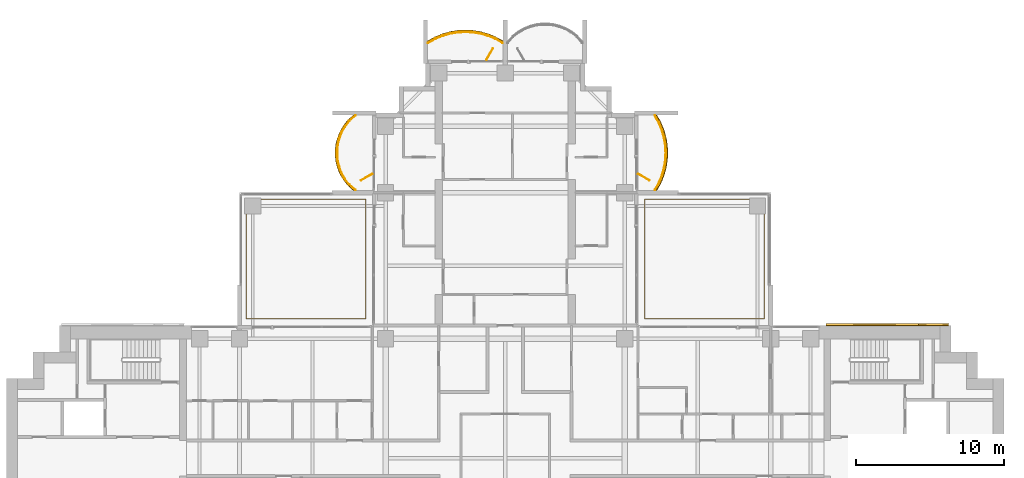
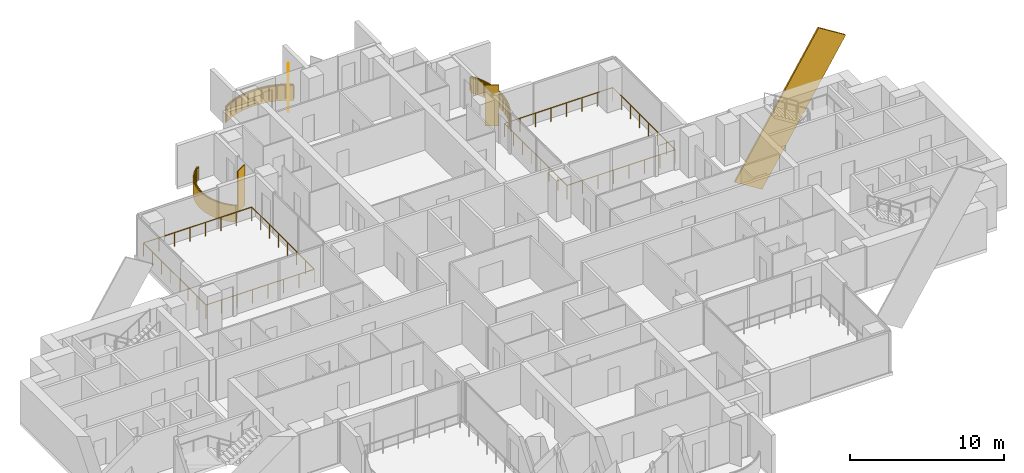
# One storey, part 18 of 19: 5 railings, 4 coverings, 3 shading devices.
"""IFC4 building model written with IfcOpenShell, lengths in metres."""

from ifc_helpers import new_model, si_unit, direction, frame, origin, origin_2d, place, context, subcontext, project, spatial, polyline, rectangle, outline, extrude, material, layer, layer_set, material_profile, profile_set, type_object, element, save


model = new_model("IFC4")

# Units and contexts
model_context = context("Model", 3, precision=1e-05, world=origin(), true_north=direction((0.0, 1.0)))
body_context = subcontext(model_context, "Body", "Model", "MODEL_VIEW")
ifc_project = project(units=[si_unit("LENGTHUNIT", "METRE"), si_unit("AREAUNIT", "SQUARE_METRE"), si_unit("VOLUMEUNIT", "CUBIC_METRE"), si_unit("PLANEANGLEUNIT", "RADIAN"), si_unit("MASSUNIT", "GRAM", prefix="KILO")], contexts=[model_context])

# Site, building, storey
site_placement = place(None, origin())
site = spatial("IfcSite", under=ifc_project, at=site_placement, CompositionType="ELEMENT")
building_placement = place(site_placement, origin())
building = spatial("IfcBuilding", under=site, at=building_placement, Name="Perihelion Cross Residences", CompositionType="ELEMENT")
storey_placement = place(building_placement, frame((0.0, 0.0, 147.89990234375)))
storey = spatial("IfcBuildingStorey", under=building, at=storey_placement, Name="L36", CompositionType="ELEMENT", Elevation=147.89990234375)

# Coverings
ifc_material_1 = material(Name="Bronze anodised aluminium", Category="aluminium")
ifc_layer_1 = layer(ifc_material_1, 0.070068359375)
ifc_layer_set_1 = layer_set([ifc_layer_1], Name="Balcony fascia 1300")
covering_type_1 = type_object("IfcCoveringType", Name="Balcony fascia 1300", PredefinedType="CLADDING", material=ifc_layer_set_1)
covering_1_placement = place(storey_placement, frame((0.0, 0.0, -0.199951171875)))
element("IfcCovering", 1, at=covering_1_placement, inside=storey, type_object=covering_type_1, Name="Fascia BF1 L36 north side east bay 2", PredefinedType="CLADDING", context=body_context, shape_type="SweptSolid", body=[
    extrude(outline(polyline([(10.54833984375, 18.629638671875), (10.7607421875, 19.147216796875), (10.906494140625, 19.664794921875), (10.991943359375, 20.182373046875), (11.02001953125, 20.699951171875), (10.991943359375, 21.217529296875), (10.906494140625, 21.735107421875), (10.7607421875, 22.2529296875), (10.54833984375, 22.7705078125), (10.2802734375, 23.25), (10.199951171875, 23.25), (10.4853515625, 22.739990234375), (10.694580078125, 22.22998046875), (10.838134765625, 21.719970703125), (10.92236328125, 21.2099609375), (10.949951171875, 20.699951171875), (10.92236328125, 20.18994140625), (10.838134765625, 19.679931640625), (10.694580078125, 19.169921875), (10.4853515625, 18.659912109375), (10.199951171875, 18.14990234375), (10.2802734375, 18.14990234375), (10.54833984375, 18.629638671875)])), origin(), (0.0, 0.0, 1.0), 1.300048828125),
])
covering_2_placement = place(storey_placement, frame((0.0, 0.0, -0.199951171875)))
element("IfcCovering", 2, at=covering_2_placement, inside=storey, type_object=covering_type_1, Name="Fascia BF1 L36 north tip north bay 2", PredefinedType="CLADDING", context=body_context, shape_type="SweptSolid", body=[
    extrude(outline(polyline([(-0.629638671875, 28.54833984375), (-1.147216796875, 28.7607421875), (-1.664794921875, 28.906494140625), (-2.182373046875, 28.991943359375), (-2.699951171875, 29.02001953125), (-3.217529296875, 28.991943359375), (-3.735107421875, 28.906494140625), (-4.2529296875, 28.7607421875), (-4.7705078125, 28.54833984375), (-5.25, 28.2802734375), (-5.25, 28.199951171875), (-4.739990234375, 28.4853515625), (-4.22998046875, 28.694580078125), (-3.719970703125, 28.838134765625), (-3.2099609375, 28.92236328125), (-2.699951171875, 28.949951171875), (-2.18994140625, 28.92236328125), (-1.679931640625, 28.838134765625), (-1.169921875, 28.694580078125), (-0.659912109375, 28.4853515625), (-0.14990234375, 28.199951171875), (-0.14990234375, 28.2802734375), (-0.629638671875, 28.54833984375)])), origin(), (0.0, 0.0, 1.0), 1.300048828125),
])
covering_3_placement = place(storey_placement, frame((0.0, 0.0, -0.199951171875)))
element("IfcCovering", 3, at=covering_3_placement, inside=storey, type_object=covering_type_1, Name="Fascia BF1 L36 north side west bay 1", PredefinedType="CLADDING", context=body_context, shape_type="SweptSolid", body=[
    extrude(outline(polyline([(-10.674072265625, 22.90478515625), (-10.982666015625, 22.50390625), (-11.20654296875, 22.10302734375), (-11.364013671875, 21.7021484375), (-11.464599609375, 21.30126953125), (-11.513916015625, 20.900390625), (-11.513916015625, 20.49951171875), (-11.464599609375, 20.0986328125), (-11.364013671875, 19.69775390625), (-11.20654296875, 19.296875), (-10.982666015625, 18.89599609375), (-10.674072265625, 18.4951171875), (-10.302734375, 18.14990234375), (-10.199951171875, 18.14990234375), (-10.622314453125, 18.542236328125), (-10.924072265625, 18.9345703125), (-11.143310546875, 19.326904296875), (-11.29736328125, 19.71923828125), (-11.39599609375, 20.111572265625), (-11.444091796875, 20.50390625), (-11.444091796875, 20.896240234375), (-11.39599609375, 21.28857421875), (-11.29736328125, 21.6806640625), (-11.143310546875, 22.072998046875), (-10.924072265625, 22.46533203125), (-10.622314453125, 22.857666015625), (-10.199951171875, 23.25), (-10.302734375, 23.25), (-10.674072265625, 22.90478515625)])), origin(), (0.0, 0.0, 1.0), 1.300048828125),
])

# Railings
ifc_material_2 = material(Name="Bronze anodised aluminium", Category="aluminium")
railing_type = type_object("IfcRailingType", Name="Balcony guard 1100", PredefinedType="GUARDRAIL", material=ifc_material_2)
railing_1_placement = place(storey_placement, frame((10.139892578125, 18.175048828125, 0.0)))
element("IfcRailing", 4, at=railing_1_placement, inside=storey, type_object=railing_type, Name="Guard GU1 L36 north side east bay 2 balcony", PredefinedType="GUARDRAIL", context=body_context, shape_type="SweptSolid", body=[
    extrude(rectangle(XDim=0.048095703125, YDim=0.048095703125, at=origin_2d()), frame((0.0, 0.0, 1.076171875), z_axis=(0.507266632806, 0.861789164031, 0.0), x_axis=(-0.861789164031, 0.507266632806, 0.0)), (0.0, 0.0, 1.0), 0.562744140625),
    extrude(rectangle(XDim=0.048095703125, YDim=0.048095703125, at=origin_2d()), frame((0.285400390625, 0.48486328125, 1.076171875), z_axis=(0.379546636342, 0.925172605972, 0.0), x_axis=(-0.925172605972, 0.379546636342, 0.0)), (0.0, 0.0, 1.0), 0.55126953125),
    extrude(rectangle(XDim=0.048095703125, YDim=0.048095703125, at=origin_2d()), frame((0.49462890625, 0.994873046875, 1.076171875), z_axis=(0.271372618732, 0.962474364231, 0.0), x_axis=(-0.962474364231, 0.271372618732, 0.0)), (0.0, 0.0, 1.0), 0.52978515625),
    extrude(rectangle(XDim=0.048095703125, YDim=0.048095703125, at=origin_2d()), frame((0.638427734375, 1.5048828125, 1.076171875), z_axis=(0.162483799314, 0.986711211531, 0.0), x_axis=(-0.986711211531, 0.162483799314, 0.0)), (0.0, 0.0, 1.0), 0.516845703125),
    extrude(rectangle(XDim=0.048095703125, YDim=0.048095703125, at=origin_2d()), frame((0.722412109375, 2.014892578125, 1.076171875), z_axis=(0.05401390175, 0.998540183677, 0.0), x_axis=(-0.998540183677, 0.05401390175, 0.0)), (0.0, 0.0, 1.0), 0.5107421875),
    extrude(rectangle(XDim=0.048095703125, YDim=0.048095703125, at=origin_2d()), frame((0.75, 2.52490234375, 1.076171875), z_axis=(-0.05401390175, 0.998540183677, 0.0), x_axis=(-0.998540183677, -0.05401390175, 0.0)), (0.0, 0.0, 1.0), 0.5107421875),
    extrude(rectangle(XDim=0.048095703125, YDim=0.048095703125, at=origin_2d()), frame((0.722412109375, 3.034912109375, 1.076171875), z_axis=(-0.162483799314, 0.986711211531, 0.0), x_axis=(-0.986711211531, -0.162483799314, 0.0)), (0.0, 0.0, 1.0), 0.516845703125),
    extrude(rectangle(XDim=0.048095703125, YDim=0.048095703125, at=origin_2d()), frame((0.638427734375, 3.544921875, 1.076171875), z_axis=(-0.271372618732, 0.962474364231, 0.0), x_axis=(-0.962474364231, -0.271372618732, 0.0)), (0.0, 0.0, 1.0), 0.52978515625),
    extrude(rectangle(XDim=0.048095703125, YDim=0.048095703125, at=origin_2d()), frame((0.49462890625, 4.054931640625, 1.076171875), z_axis=(-0.379546636342, 0.925172605972, 0.0), x_axis=(-0.925172605972, -0.379546636342, 0.0)), (0.0, 0.0, 1.0), 0.55126953125),
    extrude(rectangle(XDim=0.048095703125, YDim=0.048095703125, at=origin_2d()), frame((0.285400390625, 4.56494140625, 1.076171875), z_axis=(-0.507076995033, 0.861900760591, 0.0), x_axis=(-0.861900760591, -0.507076995033, 0.0)), (0.0, 0.0, 1.0), 0.562744140625),
    extrude(rectangle(XDim=0.0419921875, YDim=0.0419921875, at=origin_2d()), origin(), (0.0, 0.0, 1.0), 1.052001953125),
    extrude(rectangle(XDim=0.0419921875, YDim=0.0419921875, at=origin_2d()), frame((0.285400390625, 0.48486328125, 0.0)), (0.0, 0.0, 1.0), 1.052001953125),
    extrude(rectangle(XDim=0.0419921875, YDim=0.0419921875, at=origin_2d()), frame((0.49462890625, 0.994873046875, 0.0)), (0.0, 0.0, 1.0), 1.052001953125),
    extrude(rectangle(XDim=0.0419921875, YDim=0.0419921875, at=origin_2d()), frame((0.638427734375, 1.5048828125, 0.0)), (0.0, 0.0, 1.0), 1.052001953125),
    extrude(rectangle(XDim=0.0419921875, YDim=0.0419921875, at=origin_2d()), frame((0.722412109375, 2.014892578125, 0.0)), (0.0, 0.0, 1.0), 1.052001953125),
    extrude(rectangle(XDim=0.0419921875, YDim=0.0419921875, at=origin_2d()), frame((0.75, 2.52490234375, 0.0)), (0.0, 0.0, 1.0), 1.052001953125),
    extrude(rectangle(XDim=0.0419921875, YDim=0.0419921875, at=origin_2d()), frame((0.722412109375, 3.034912109375, 0.0)), (0.0, 0.0, 1.0), 1.052001953125),
    extrude(rectangle(XDim=0.0419921875, YDim=0.0419921875, at=origin_2d()), frame((0.638427734375, 3.544921875, 0.0)), (0.0, 0.0, 1.0), 1.052001953125),
    extrude(rectangle(XDim=0.0419921875, YDim=0.0419921875, at=origin_2d()), frame((0.49462890625, 4.054931640625, 0.0)), (0.0, 0.0, 1.0), 1.052001953125),
    extrude(rectangle(XDim=0.0419921875, YDim=0.0419921875, at=origin_2d()), frame((0.285400390625, 4.56494140625, 0.0)), (0.0, 0.0, 1.0), 1.052001953125),
    extrude(rectangle(XDim=0.0419921875, YDim=0.0419921875, at=origin_2d()), frame((0.0, 5.050048828125, 0.0)), (0.0, 0.0, 1.0), 1.052001953125),
])
railing_2_placement = place(storey_placement, frame((-0.175048828125, 28.139892578125, 0.0)))
element("IfcRailing", 5, at=railing_2_placement, inside=storey, type_object=railing_type, Name="Guard GU1 L36 north tip north bay 2 balcony", PredefinedType="GUARDRAIL", context=body_context, shape_type="SweptSolid", body=[
    extrude(rectangle(XDim=0.048095703125, YDim=0.048095703125, at=origin_2d()), frame((0.0, 0.0, 1.076171875), z_axis=(-0.861789164031, 0.507266632806, 0.0), x_axis=(-0.507266632806, -0.861789164031, 0.0)), (0.0, 0.0, 1.0), 0.562744140625),
    extrude(rectangle(XDim=0.048095703125, YDim=0.048095703125, at=origin_2d()), frame((-0.48486328125, 0.285400390625, 1.076171875), z_axis=(-0.925172605972, 0.379546636342, 0.0), x_axis=(-0.379546636342, -0.925172605972, 0.0)), (0.0, 0.0, 1.0), 0.55126953125),
    extrude(rectangle(XDim=0.048095703125, YDim=0.048095703125, at=origin_2d()), frame((-0.994873046875, 0.49462890625, 1.076171875), z_axis=(-0.962474364231, 0.271372618732, 0.0), x_axis=(-0.271372618732, -0.962474364231, 0.0)), (0.0, 0.0, 1.0), 0.52978515625),
    extrude(rectangle(XDim=0.048095703125, YDim=0.048095703125, at=origin_2d()), frame((-1.5048828125, 0.638427734375, 1.076171875), z_axis=(-0.986711211531, 0.162483799314, 0.0), x_axis=(-0.162483799314, -0.986711211531, 0.0)), (0.0, 0.0, 1.0), 0.516845703125),
    extrude(rectangle(XDim=0.048095703125, YDim=0.048095703125, at=origin_2d()), frame((-2.014892578125, 0.722412109375, 1.076171875), z_axis=(-0.998540183677, 0.05401390175, 0.0), x_axis=(-0.05401390175, -0.998540183677, 0.0)), (0.0, 0.0, 1.0), 0.5107421875),
    extrude(rectangle(XDim=0.048095703125, YDim=0.048095703125, at=origin_2d()), frame((-2.52490234375, 0.75, 1.076171875), z_axis=(-0.998540183677, -0.05401390175, 0.0), x_axis=(0.05401390175, -0.998540183677, 0.0)), (0.0, 0.0, 1.0), 0.5107421875),
    extrude(rectangle(XDim=0.048095703125, YDim=0.048095703125, at=origin_2d()), frame((-3.034912109375, 0.722412109375, 1.076171875), z_axis=(-0.986711211531, -0.162483799314, 0.0), x_axis=(0.162483799314, -0.986711211531, 0.0)), (0.0, 0.0, 1.0), 0.516845703125),
    extrude(rectangle(XDim=0.048095703125, YDim=0.048095703125, at=origin_2d()), frame((-3.544921875, 0.638427734375, 1.076171875), z_axis=(-0.962474364231, -0.271372618732, 0.0), x_axis=(0.271372618732, -0.962474364231, 0.0)), (0.0, 0.0, 1.0), 0.52978515625),
    extrude(rectangle(XDim=0.048095703125, YDim=0.048095703125, at=origin_2d()), frame((-4.054931640625, 0.49462890625, 1.076171875), z_axis=(-0.925172605972, -0.379546636342, 0.0), x_axis=(0.379546636342, -0.925172605972, 0.0)), (0.0, 0.0, 1.0), 0.55126953125),
    extrude(rectangle(XDim=0.048095703125, YDim=0.048095703125, at=origin_2d()), frame((-4.56494140625, 0.285400390625, 1.076171875), z_axis=(-0.861900760591, -0.507076995033, 0.0), x_axis=(0.507076995033, -0.861900760591, 0.0)), (0.0, 0.0, 1.0), 0.562744140625),
    extrude(rectangle(XDim=0.0419921875, YDim=0.0419921875, at=origin_2d()), origin(), (0.0, 0.0, 1.0), 1.052001953125),
    extrude(rectangle(XDim=0.0419921875, YDim=0.0419921875, at=origin_2d()), frame((-0.48486328125, 0.285400390625, 0.0)), (0.0, 0.0, 1.0), 1.052001953125),
    extrude(rectangle(XDim=0.0419921875, YDim=0.0419921875, at=origin_2d()), frame((-0.994873046875, 0.49462890625, 0.0)), (0.0, 0.0, 1.0), 1.052001953125),
    extrude(rectangle(XDim=0.0419921875, YDim=0.0419921875, at=origin_2d()), frame((-1.5048828125, 0.638427734375, 0.0)), (0.0, 0.0, 1.0), 1.052001953125),
    extrude(rectangle(XDim=0.0419921875, YDim=0.0419921875, at=origin_2d()), frame((-2.014892578125, 0.722412109375, 0.0)), (0.0, 0.0, 1.0), 1.052001953125),
    extrude(rectangle(XDim=0.0419921875, YDim=0.0419921875, at=origin_2d()), frame((-2.52490234375, 0.75, 0.0)), (0.0, 0.0, 1.0), 1.052001953125),
    extrude(rectangle(XDim=0.0419921875, YDim=0.0419921875, at=origin_2d()), frame((-3.034912109375, 0.722412109375, 0.0)), (0.0, 0.0, 1.0), 1.052001953125),
    extrude(rectangle(XDim=0.0419921875, YDim=0.0419921875, at=origin_2d()), frame((-3.544921875, 0.638427734375, 0.0)), (0.0, 0.0, 1.0), 1.052001953125),
    extrude(rectangle(XDim=0.0419921875, YDim=0.0419921875, at=origin_2d()), frame((-4.054931640625, 0.49462890625, 0.0)), (0.0, 0.0, 1.0), 1.052001953125),
    extrude(rectangle(XDim=0.0419921875, YDim=0.0419921875, at=origin_2d()), frame((-4.56494140625, 0.285400390625, 0.0)), (0.0, 0.0, 1.0), 1.052001953125),
    extrude(rectangle(XDim=0.0419921875, YDim=0.0419921875, at=origin_2d()), frame((-5.050048828125, 0.0, 0.0)), (0.0, 0.0, 1.0), 1.052001953125),
])
railing_3_placement = place(storey_placement, frame((-10.139892578125, 23.22509765625, 0.0)))
element("IfcRailing", 6, at=railing_3_placement, inside=storey, type_object=railing_type, Name="Guard GU1 L36 north side west bay 1 balcony", PredefinedType="GUARDRAIL", context=body_context, shape_type="SweptSolid", body=[
    extrude(rectangle(XDim=0.048095703125, YDim=0.048095703125, at=origin_2d()), frame((0.0, 0.0, 1.076171875), z_axis=(-0.754464673757, -0.656340655493, 0.0), x_axis=(0.656340655493, -0.754464673757, 0.0)), (0.0, 0.0, 1.0), 0.559814453125),
    extrude(rectangle(XDim=0.048095703125, YDim=0.048095703125, at=origin_2d()), frame((-0.42236328125, -0.367431640625, 1.076171875), z_axis=(-0.60966308455, -0.792660660899, 0.0), x_axis=(0.792660660899, -0.60966308455, 0.0)), (0.0, 0.0, 1.0), 0.494873046875),
    extrude(rectangle(XDim=0.048095703125, YDim=0.048095703125, at=origin_2d()), frame((-0.72412109375, -0.759765625, 1.076171875), z_axis=(-0.487809182674, -0.872950285698, 0.0), x_axis=(0.872950285698, -0.487809182674, 0.0)), (0.0, 0.0, 1.0), 0.449462890625),
    extrude(rectangle(XDim=0.048095703125, YDim=0.048095703125, at=origin_2d()), frame((-0.943359375, -1.152099609375, 1.076171875), z_axis=(-0.365491079925, -0.930814842219, 0.0), x_axis=(0.930814842219, -0.365491079925, 0.0)), (0.0, 0.0, 1.0), 0.42138671875),
    extrude(rectangle(XDim=0.048095703125, YDim=0.048095703125, at=origin_2d()), frame((-1.097412109375, -1.54443359375, 1.076171875), z_axis=(-0.243956193074, -0.969786252666, 0.0), x_axis=(0.969786252666, -0.243956193074, 0.0)), (0.0, 0.0, 1.0), 0.404296875),
    extrude(rectangle(XDim=0.048095703125, YDim=0.048095703125, at=origin_2d()), frame((-1.196044921875, -1.9365234375, 1.076171875), z_axis=(-0.121677797999, -0.992569651699, 0.0), x_axis=(0.992569651699, -0.121677797999, 0.0)), (0.0, 0.0, 1.0), 0.395263671875),
    extrude(rectangle(XDim=0.048095703125, YDim=0.048095703125, at=origin_2d()), frame((-1.244140625, -2.328857421875, 1.076171875), z_axis=(0.0, -1.0, 0.0), x_axis=(1.0, 0.0, 0.0)), (0.0, 0.0, 1.0), 0.392333984375),
    extrude(rectangle(XDim=0.048095703125, YDim=0.048095703125, at=origin_2d()), frame((-1.244140625, -2.72119140625, 1.076171875), z_axis=(0.121677797999, -0.992569651699, 0.0), x_axis=(0.992569651699, 0.121677797999, 0.0)), (0.0, 0.0, 1.0), 0.395263671875),
    extrude(rectangle(XDim=0.048095703125, YDim=0.048095703125, at=origin_2d()), frame((-1.196044921875, -3.113525390625, 1.076171875), z_axis=(0.243813411509, -0.969822159145, 0.0), x_axis=(0.969822159145, 0.243813411509, 0.0)), (0.0, 0.0, 1.0), 0.404541015625),
    extrude(rectangle(XDim=0.048095703125, YDim=0.048095703125, at=origin_2d()), frame((-1.097412109375, -3.505859375, 1.076171875), z_axis=(0.365491079925, -0.930814842219, 0.0), x_axis=(0.930814842219, 0.365491079925, 0.0)), (0.0, 0.0, 1.0), 0.42138671875),
    extrude(rectangle(XDim=0.048095703125, YDim=0.048095703125, at=origin_2d()), frame((-0.943359375, -3.898193359375, 1.076171875), z_axis=(0.487809182674, -0.872950285698, 0.0), x_axis=(0.872950285698, 0.487809182674, 0.0)), (0.0, 0.0, 1.0), 0.449462890625),
    extrude(rectangle(XDim=0.048095703125, YDim=0.048095703125, at=origin_2d()), frame((-0.72412109375, -4.29052734375, 1.076171875), z_axis=(0.60966308455, -0.792660660899, 0.0), x_axis=(0.792660660899, 0.60966308455, 0.0)), (0.0, 0.0, 1.0), 0.494873046875),
    extrude(rectangle(XDim=0.048095703125, YDim=0.048095703125, at=origin_2d()), frame((-0.42236328125, -4.682861328125, 1.076171875), z_axis=(0.754680648599, -0.656092309534, 0.0), x_axis=(0.656092309534, 0.754680648599, 0.0)), (0.0, 0.0, 1.0), 0.5595703125),
    extrude(rectangle(XDim=0.0419921875, YDim=0.0419921875, at=origin_2d()), origin(), (0.0, 0.0, 1.0), 1.052001953125),
    extrude(rectangle(XDim=0.0419921875, YDim=0.0419921875, at=origin_2d()), frame((-0.42236328125, -0.367431640625, 0.0)), (0.0, 0.0, 1.0), 1.052001953125),
    extrude(rectangle(XDim=0.0419921875, YDim=0.0419921875, at=origin_2d()), frame((-0.72412109375, -0.759765625, 0.0)), (0.0, 0.0, 1.0), 1.052001953125),
    extrude(rectangle(XDim=0.0419921875, YDim=0.0419921875, at=origin_2d()), frame((-0.943359375, -1.152099609375, 0.0)), (0.0, 0.0, 1.0), 1.052001953125),
    extrude(rectangle(XDim=0.0419921875, YDim=0.0419921875, at=origin_2d()), frame((-1.097412109375, -1.54443359375, 0.0)), (0.0, 0.0, 1.0), 1.052001953125),
    extrude(rectangle(XDim=0.0419921875, YDim=0.0419921875, at=origin_2d()), frame((-1.196044921875, -1.9365234375, 0.0)), (0.0, 0.0, 1.0), 1.052001953125),
    extrude(rectangle(XDim=0.0419921875, YDim=0.0419921875, at=origin_2d()), frame((-1.244140625, -2.328857421875, 0.0)), (0.0, 0.0, 1.0), 1.052001953125),
    extrude(rectangle(XDim=0.0419921875, YDim=0.0419921875, at=origin_2d()), frame((-1.244140625, -2.72119140625, 0.0)), (0.0, 0.0, 1.0), 1.052001953125),
    extrude(rectangle(XDim=0.0419921875, YDim=0.0419921875, at=origin_2d()), frame((-1.196044921875, -3.113525390625, 0.0)), (0.0, 0.0, 1.0), 1.052001953125),
    extrude(rectangle(XDim=0.0419921875, YDim=0.0419921875, at=origin_2d()), frame((-1.097412109375, -3.505859375, 0.0)), (0.0, 0.0, 1.0), 1.052001953125),
    extrude(rectangle(XDim=0.0419921875, YDim=0.0419921875, at=origin_2d()), frame((-0.943359375, -3.898193359375, 0.0)), (0.0, 0.0, 1.0), 1.052001953125),
    extrude(rectangle(XDim=0.0419921875, YDim=0.0419921875, at=origin_2d()), frame((-0.72412109375, -4.29052734375, 0.0)), (0.0, 0.0, 1.0), 1.052001953125),
    extrude(rectangle(XDim=0.0419921875, YDim=0.0419921875, at=origin_2d()), frame((-0.42236328125, -4.682861328125, 0.0)), (0.0, 0.0, 1.0), 1.052001953125),
    extrude(rectangle(XDim=0.0419921875, YDim=0.0419921875, at=origin_2d()), frame((0.0, -5.050048828125, 0.0)), (0.0, 0.0, 1.0), 1.052001953125),
])
railing_4_placement = place(storey_placement, frame((17.550048828125, 9.449951171875, 0.0)))
element("IfcRailing", 7, at=railing_4_placement, inside=storey, type_object=railing_type, Name="Guard GU1 L36 pocket north-east 1", PredefinedType="GUARDRAIL", context=body_context, shape_type="SweptSolid", body=[
    extrude(rectangle(XDim=0.048095703125, YDim=0.048095703125, at=origin_2d()), frame((0.0, 0.0, 1.076171875), z_axis=(-1.0, 0.0, 0.0), x_axis=(0.0, -1.0, 0.0)), (0.0, 0.0, 1.0), 8.10009765625),
    extrude(rectangle(XDim=0.048095703125, YDim=0.048095703125, at=origin_2d()), frame((-8.10009765625, 0.0, 1.076171875), z_axis=(0.0, 1.0, 0.0), x_axis=(-1.0, 0.0, 0.0)), (0.0, 0.0, 1.0), 8.10009765625),
    extrude(rectangle(XDim=0.048095703125, YDim=0.048095703125, at=origin_2d()), frame((-8.10009765625, 8.10009765625, 1.076171875), z_axis=(1.0, 0.0, 0.0), x_axis=(0.0, 1.0, 0.0)), (0.0, 0.0, 1.0), 8.10009765625),
    extrude(rectangle(XDim=0.048095703125, YDim=0.048095703125, at=origin_2d()), frame((0.0, 8.10009765625, 1.076171875), z_axis=(0.0, -1.0, 0.0), x_axis=(1.0, 0.0, 0.0)), (0.0, 0.0, 1.0), 8.10009765625),
    extrude(rectangle(XDim=0.0419921875, YDim=0.0419921875, at=origin_2d()), origin(), (0.0, 0.0, 1.0), 1.052001953125),
    extrude(rectangle(XDim=0.0419921875, YDim=0.0419921875, at=origin_2d()), frame((-1.1572265625, 0.0, 0.0)), (0.0, 0.0, 1.0), 1.052001953125),
    extrude(rectangle(XDim=0.0419921875, YDim=0.0419921875, at=origin_2d()), frame((-2.314208984375, 0.0, 0.0)), (0.0, 0.0, 1.0), 1.052001953125),
    extrude(rectangle(XDim=0.0419921875, YDim=0.0419921875, at=origin_2d()), frame((-3.471435546875, 0.0, 0.0)), (0.0, 0.0, 1.0), 1.052001953125),
    extrude(rectangle(XDim=0.0419921875, YDim=0.0419921875, at=origin_2d()), frame((-4.628662109375, 0.0, 0.0)), (0.0, 0.0, 1.0), 1.052001953125),
    extrude(rectangle(XDim=0.0419921875, YDim=0.0419921875, at=origin_2d()), frame((-5.785888671875, 0.0, 0.0)), (0.0, 0.0, 1.0), 1.052001953125),
    extrude(rectangle(XDim=0.0419921875, YDim=0.0419921875, at=origin_2d()), frame((-6.94287109375, 0.0, 0.0)), (0.0, 0.0, 1.0), 1.052001953125),
    extrude(rectangle(XDim=0.0419921875, YDim=0.0419921875, at=origin_2d()), frame((-8.10009765625, 0.0, 0.0)), (0.0, 0.0, 1.0), 1.052001953125),
    extrude(rectangle(XDim=0.0419921875, YDim=0.0419921875, at=origin_2d()), frame((-8.10009765625, 1.1572265625, 0.0)), (0.0, 0.0, 1.0), 1.052001953125),
    extrude(rectangle(XDim=0.0419921875, YDim=0.0419921875, at=origin_2d()), frame((-8.10009765625, 2.314208984375, 0.0)), (0.0, 0.0, 1.0), 1.052001953125),
    extrude(rectangle(XDim=0.0419921875, YDim=0.0419921875, at=origin_2d()), frame((-8.10009765625, 3.471435546875, 0.0)), (0.0, 0.0, 1.0), 1.052001953125),
    extrude(rectangle(XDim=0.0419921875, YDim=0.0419921875, at=origin_2d()), frame((-8.10009765625, 4.628662109375, 0.0)), (0.0, 0.0, 1.0), 1.052001953125),
    extrude(rectangle(XDim=0.0419921875, YDim=0.0419921875, at=origin_2d()), frame((-8.10009765625, 5.785888671875, 0.0)), (0.0, 0.0, 1.0), 1.052001953125),
    extrude(rectangle(XDim=0.0419921875, YDim=0.0419921875, at=origin_2d()), frame((-8.10009765625, 6.94287109375, 0.0)), (0.0, 0.0, 1.0), 1.052001953125),
    extrude(rectangle(XDim=0.0419921875, YDim=0.0419921875, at=origin_2d()), frame((-8.10009765625, 8.10009765625, 0.0)), (0.0, 0.0, 1.0), 1.052001953125),
    extrude(rectangle(XDim=0.0419921875, YDim=0.0419921875, at=origin_2d()), frame((-6.94287109375, 8.10009765625, 0.0)), (0.0, 0.0, 1.0), 1.052001953125),
    extrude(rectangle(XDim=0.0419921875, YDim=0.0419921875, at=origin_2d()), frame((-5.785888671875, 8.10009765625, 0.0)), (0.0, 0.0, 1.0), 1.052001953125),
    extrude(rectangle(XDim=0.0419921875, YDim=0.0419921875, at=origin_2d()), frame((-4.628662109375, 8.10009765625, 0.0)), (0.0, 0.0, 1.0), 1.052001953125),
    extrude(rectangle(XDim=0.0419921875, YDim=0.0419921875, at=origin_2d()), frame((-3.471435546875, 8.10009765625, 0.0)), (0.0, 0.0, 1.0), 1.052001953125),
    extrude(rectangle(XDim=0.0419921875, YDim=0.0419921875, at=origin_2d()), frame((-2.314208984375, 8.10009765625, 0.0)), (0.0, 0.0, 1.0), 1.052001953125),
    extrude(rectangle(XDim=0.0419921875, YDim=0.0419921875, at=origin_2d()), frame((-1.1572265625, 8.10009765625, 0.0)), (0.0, 0.0, 1.0), 1.052001953125),
    extrude(rectangle(XDim=0.0419921875, YDim=0.0419921875, at=origin_2d()), frame((0.0, 8.10009765625, 0.0)), (0.0, 0.0, 1.0), 1.052001953125),
    extrude(rectangle(XDim=0.0419921875, YDim=0.0419921875, at=origin_2d()), frame((0.0, 6.94287109375, 0.0)), (0.0, 0.0, 1.0), 1.052001953125),
    extrude(rectangle(XDim=0.0419921875, YDim=0.0419921875, at=origin_2d()), frame((0.0, 5.785888671875, 0.0)), (0.0, 0.0, 1.0), 1.052001953125),
    extrude(rectangle(XDim=0.0419921875, YDim=0.0419921875, at=origin_2d()), frame((0.0, 4.628662109375, 0.0)), (0.0, 0.0, 1.0), 1.052001953125),
    extrude(rectangle(XDim=0.0419921875, YDim=0.0419921875, at=origin_2d()), frame((0.0, 3.471435546875, 0.0)), (0.0, 0.0, 1.0), 1.052001953125),
    extrude(rectangle(XDim=0.0419921875, YDim=0.0419921875, at=origin_2d()), frame((0.0, 2.314208984375, 0.0)), (0.0, 0.0, 1.0), 1.052001953125),
    extrude(rectangle(XDim=0.0419921875, YDim=0.0419921875, at=origin_2d()), frame((0.0, 1.1572265625, 0.0)), (0.0, 0.0, 1.0), 1.052001953125),
])
railing_5_placement = place(storey_placement, frame((-9.449951171875, 9.449951171875, 0.0)))
element("IfcRailing", 8, at=railing_5_placement, inside=storey, type_object=railing_type, Name="Guard GU1 L36 pocket north-west 1", PredefinedType="GUARDRAIL", context=body_context, shape_type="SweptSolid", body=[
    extrude(rectangle(XDim=0.048095703125, YDim=0.048095703125, at=origin_2d()), frame((0.0, 0.0, 1.076171875), z_axis=(-1.0, 0.0, 0.0), x_axis=(0.0, -1.0, 0.0)), (0.0, 0.0, 1.0), 8.10009765625),
    extrude(rectangle(XDim=0.048095703125, YDim=0.048095703125, at=origin_2d()), frame((-8.10009765625, 0.0, 1.076171875), z_axis=(0.0, 1.0, 0.0), x_axis=(-1.0, 0.0, 0.0)), (0.0, 0.0, 1.0), 8.10009765625),
    extrude(rectangle(XDim=0.048095703125, YDim=0.048095703125, at=origin_2d()), frame((-8.10009765625, 8.10009765625, 1.076171875), z_axis=(1.0, 0.0, 0.0), x_axis=(0.0, 1.0, 0.0)), (0.0, 0.0, 1.0), 8.10009765625),
    extrude(rectangle(XDim=0.048095703125, YDim=0.048095703125, at=origin_2d()), frame((0.0, 8.10009765625, 1.076171875), z_axis=(0.0, -1.0, 0.0), x_axis=(1.0, 0.0, 0.0)), (0.0, 0.0, 1.0), 8.10009765625),
    extrude(rectangle(XDim=0.0419921875, YDim=0.0419921875, at=origin_2d()), origin(), (0.0, 0.0, 1.0), 1.052001953125),
    extrude(rectangle(XDim=0.0419921875, YDim=0.0419921875, at=origin_2d()), frame((-1.1572265625, 0.0, 0.0)), (0.0, 0.0, 1.0), 1.052001953125),
    extrude(rectangle(XDim=0.0419921875, YDim=0.0419921875, at=origin_2d()), frame((-2.314208984375, 0.0, 0.0)), (0.0, 0.0, 1.0), 1.052001953125),
    extrude(rectangle(XDim=0.0419921875, YDim=0.0419921875, at=origin_2d()), frame((-3.471435546875, 0.0, 0.0)), (0.0, 0.0, 1.0), 1.052001953125),
    extrude(rectangle(XDim=0.0419921875, YDim=0.0419921875, at=origin_2d()), frame((-4.628662109375, 0.0, 0.0)), (0.0, 0.0, 1.0), 1.052001953125),
    extrude(rectangle(XDim=0.0419921875, YDim=0.0419921875, at=origin_2d()), frame((-5.785888671875, 0.0, 0.0)), (0.0, 0.0, 1.0), 1.052001953125),
    extrude(rectangle(XDim=0.0419921875, YDim=0.0419921875, at=origin_2d()), frame((-6.94287109375, 0.0, 0.0)), (0.0, 0.0, 1.0), 1.052001953125),
    extrude(rectangle(XDim=0.0419921875, YDim=0.0419921875, at=origin_2d()), frame((-8.10009765625, 0.0, 0.0)), (0.0, 0.0, 1.0), 1.052001953125),
    extrude(rectangle(XDim=0.0419921875, YDim=0.0419921875, at=origin_2d()), frame((-8.10009765625, 1.1572265625, 0.0)), (0.0, 0.0, 1.0), 1.052001953125),
    extrude(rectangle(XDim=0.0419921875, YDim=0.0419921875, at=origin_2d()), frame((-8.10009765625, 2.314208984375, 0.0)), (0.0, 0.0, 1.0), 1.052001953125),
    extrude(rectangle(XDim=0.0419921875, YDim=0.0419921875, at=origin_2d()), frame((-8.10009765625, 3.471435546875, 0.0)), (0.0, 0.0, 1.0), 1.052001953125),
    extrude(rectangle(XDim=0.0419921875, YDim=0.0419921875, at=origin_2d()), frame((-8.10009765625, 4.628662109375, 0.0)), (0.0, 0.0, 1.0), 1.052001953125),
    extrude(rectangle(XDim=0.0419921875, YDim=0.0419921875, at=origin_2d()), frame((-8.10009765625, 5.785888671875, 0.0)), (0.0, 0.0, 1.0), 1.052001953125),
    extrude(rectangle(XDim=0.0419921875, YDim=0.0419921875, at=origin_2d()), frame((-8.10009765625, 6.94287109375, 0.0)), (0.0, 0.0, 1.0), 1.052001953125),
    extrude(rectangle(XDim=0.0419921875, YDim=0.0419921875, at=origin_2d()), frame((-8.10009765625, 8.10009765625, 0.0)), (0.0, 0.0, 1.0), 1.052001953125),
    extrude(rectangle(XDim=0.0419921875, YDim=0.0419921875, at=origin_2d()), frame((-6.94287109375, 8.10009765625, 0.0)), (0.0, 0.0, 1.0), 1.052001953125),
    extrude(rectangle(XDim=0.0419921875, YDim=0.0419921875, at=origin_2d()), frame((-5.785888671875, 8.10009765625, 0.0)), (0.0, 0.0, 1.0), 1.052001953125),
    extrude(rectangle(XDim=0.0419921875, YDim=0.0419921875, at=origin_2d()), frame((-4.628662109375, 8.10009765625, 0.0)), (0.0, 0.0, 1.0), 1.052001953125),
    extrude(rectangle(XDim=0.0419921875, YDim=0.0419921875, at=origin_2d()), frame((-3.471435546875, 8.10009765625, 0.0)), (0.0, 0.0, 1.0), 1.052001953125),
    extrude(rectangle(XDim=0.0419921875, YDim=0.0419921875, at=origin_2d()), frame((-2.314208984375, 8.10009765625, 0.0)), (0.0, 0.0, 1.0), 1.052001953125),
    extrude(rectangle(XDim=0.0419921875, YDim=0.0419921875, at=origin_2d()), frame((-1.1572265625, 8.10009765625, 0.0)), (0.0, 0.0, 1.0), 1.052001953125),
    extrude(rectangle(XDim=0.0419921875, YDim=0.0419921875, at=origin_2d()), frame((0.0, 8.10009765625, 0.0)), (0.0, 0.0, 1.0), 1.052001953125),
    extrude(rectangle(XDim=0.0419921875, YDim=0.0419921875, at=origin_2d()), frame((0.0, 6.94287109375, 0.0)), (0.0, 0.0, 1.0), 1.052001953125),
    extrude(rectangle(XDim=0.0419921875, YDim=0.0419921875, at=origin_2d()), frame((0.0, 5.785888671875, 0.0)), (0.0, 0.0, 1.0), 1.052001953125),
    extrude(rectangle(XDim=0.0419921875, YDim=0.0419921875, at=origin_2d()), frame((0.0, 4.628662109375, 0.0)), (0.0, 0.0, 1.0), 1.052001953125),
    extrude(rectangle(XDim=0.0419921875, YDim=0.0419921875, at=origin_2d()), frame((0.0, 3.471435546875, 0.0)), (0.0, 0.0, 1.0), 1.052001953125),
    extrude(rectangle(XDim=0.0419921875, YDim=0.0419921875, at=origin_2d()), frame((0.0, 2.314208984375, 0.0)), (0.0, 0.0, 1.0), 1.052001953125),
    extrude(rectangle(XDim=0.0419921875, YDim=0.0419921875, at=origin_2d()), frame((0.0, 1.1572265625, 0.0)), (0.0, 0.0, 1.0), 1.052001953125),
])

# Covering
ifc_material_3 = material(Name="Bronze anodised aluminium", Category="aluminium")
ifc_material_profile = material_profile(ifc_material_3, rectangle(XDim=0.125, YDim=2.39990234375, at=origin_2d()), Name="Bronze cladding band 2400")
ifc_profile_set = profile_set([ifc_material_profile], Name="Bronze anodised aluminium")
covering_type_2 = type_object("IfcCoveringType", Name="Bronze cladding band 2400", PredefinedType="CLADDING", material=ifc_profile_set)
covering_4_placement = place(storey_placement, frame((22.767578125, 9.0625, -3.346923828125), z_axis=(0.529915403603, 0.0, 0.848050508534), x_axis=(0.0, 1.0, 0.0)))
element("IfcCovering", 9, at=covering_4_placement, inside=storey, type_object=covering_type_2, Name="Core cladding band, east core", PredefinedType="CLADDING", context=body_context, shape_type="SweptSolid", body=[
    extrude(rectangle(XDim=0.125, YDim=2.39990234375, at=origin_2d()), origin(), (0.0, 0.0, 1.0), 11.822021484375),
])

# Shading devices
ifc_material_4 = material(Name="Bronze anodised aluminium", Category="aluminium")
ifc_layer_2 = layer(ifc_material_4, 0.050048828125)
ifc_layer_set_2 = layer_set([ifc_layer_2], Name="Bronze fin 900")
shading_device_type = type_object("IfcShadingDeviceType", Name="Bronze fin 900", PredefinedType="USERDEFINED", material=ifc_layer_set_2)
for number, where, z_axis, x_axis, name in (
    (10, (9.3896484375, 19.050048828125, 0.0), (0.0, 0.0, 1.0), (0.866025403784, -0.5, 0.0), "Fin FN1 L36 north side east bay 2"),
    (11, (-1.050048828125, 27.3896484375, 0.0), (0.0, 0.0, 1.0), (0.5, 0.866025403784, 0.0), "Fin FN1 L36 north tip north bay 2"),
    (12, (-9.3896484375, 19.050048828125, 0.0), (0.0, 0.0, 1.0), (-0.866025403784, -0.5, 0.0), "Fin FN1 L36 north side west bay 1"),
):
    element("IfcShadingDevice", number, at=place(storey_placement, frame(where, z_axis=z_axis, x_axis=x_axis)), inside=storey, type_object=shading_device_type, Name=name, ObjectType="FIN", PredefinedType="USERDEFINED", context=body_context, shape_type="SweptSolid", body=[
        extrude(rectangle(XDim=0.89990234375, YDim=0.050048828125, at=origin_2d()), origin(), (0.0, 0.0, 1.0), 3.25),
    ])

save(model, "model.ifc")
